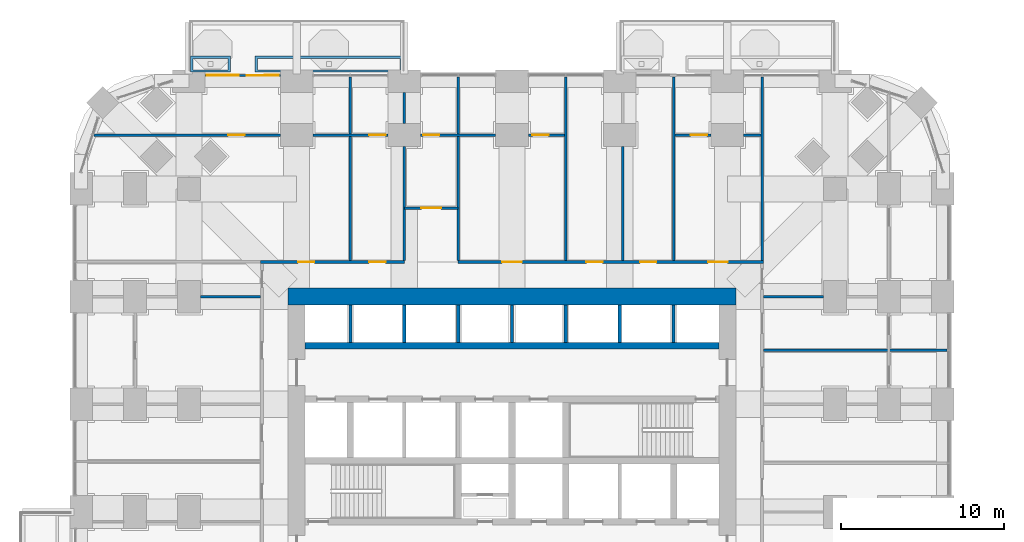
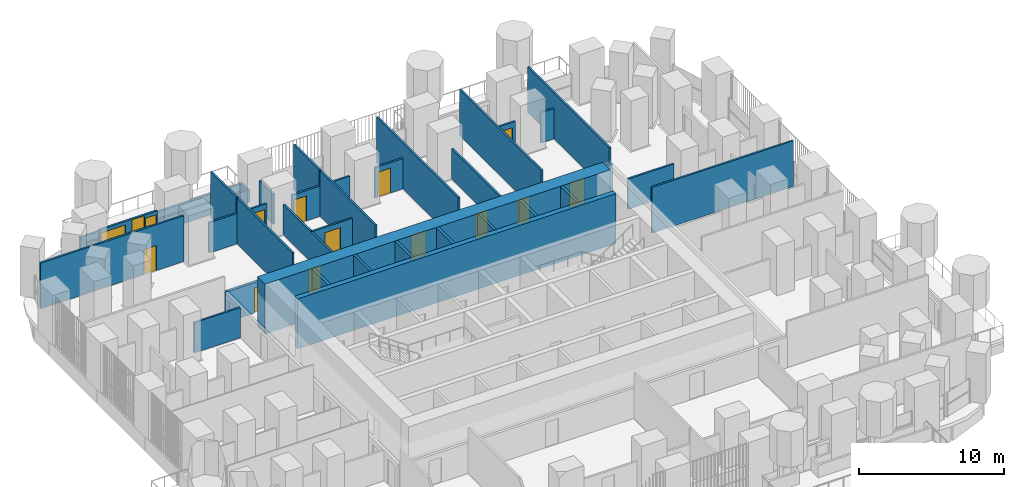
# One storey, part 20 of 27: 34 walls, 13 doors, 2 windows, 15 openings.
"""IFC4 building model written with IfcOpenShell, lengths in metres."""

from ifc_helpers import new_model, si_unit, direction, frame, frame_2d, origin, place, context, subcontext, project, spatial, polyline, rectangle, outline, extrude, material, layer, layer_set, type_object, element, fill, save


model = new_model("IFC4")

# Units and contexts
model_context = context("Model", 3, precision=1e-05, world=origin(), true_north=direction((0.0, 1.0)))
body_context = subcontext(model_context, "Body", "Model", "MODEL_VIEW")
ifc_project = project(units=[si_unit("LENGTHUNIT", "METRE"), si_unit("AREAUNIT", "SQUARE_METRE"), si_unit("VOLUMEUNIT", "CUBIC_METRE"), si_unit("PLANEANGLEUNIT", "RADIAN"), si_unit("MASSUNIT", "GRAM", prefix="KILO")], contexts=[model_context])

# Site, building, storey
site_placement = place(None, origin())
site = spatial("IfcSite", under=ifc_project, at=site_placement, CompositionType="ELEMENT")
building_placement = place(site_placement, origin())
building = spatial("IfcBuilding", under=site, at=building_placement, Name="Cobogo Forest Laboratory Tower", CompositionType="ELEMENT")
storey_placement = place(building_placement, frame((0.0, 0.0, 71.699951171875)))
storey = spatial("IfcBuildingStorey", under=building, at=storey_placement, Name="L16", CompositionType="ELEMENT", Elevation=71.699951171875)

# Walls
ifc_material_1 = material(Name="Concrete HA-50 (C50/60)", Category="concrete")
ifc_layer_1 = layer(ifc_material_1, 0.39990234375)
ifc_layer_set_1 = layer_set([ifc_layer_1], Name="CI400 core inner wall 400")
wall_type_1 = type_object("IfcWallType", Name="CI400 core inner wall 400", PredefinedType="SHEAR", material=ifc_layer_set_1)
wall_1_placement = place(storey_placement, frame((13.72509765625, 30.0, 0.0), z_axis=(0.0, 0.0, 1.0), x_axis=(1.0, 0.0, 0.0)))
element("IfcWall", 1, at=wall_1_placement, inside=storey, type_object=wall_type_1, Name="Core wall CI-30.0 L16", PredefinedType="SHEAR", context=body_context, shape_type="SweptSolid", body=[
    extrude(rectangle(XDim=25.349853515625, YDim=0.39990234375, at=frame_2d((12.6748046875, 0.0))), origin(), (0.0, 0.0, 1.0), 4.199951171875),
])
ifc_layer_2 = layer(ifc_material_1, 1.050048828125)
ifc_layer_set_2 = layer_set([ifc_layer_2], Name="CW1050 core outer wall 1050")
wall_type_2 = type_object("IfcWallType", Name="CW1050 core outer wall 1050", PredefinedType="SHEAR", material=ifc_layer_set_2)
wall_2_placement = place(storey_placement, frame((40.125, 33.0, 0.0), z_axis=(0.0, 0.0, 1.0), x_axis=(-1.0, 0.0, 0.0)))
element("IfcWall", 2, at=wall_2_placement, inside=storey, type_object=wall_type_2, Name="Core wall CO-N L16", PredefinedType="SHEAR", context=body_context, shape_type="SweptSolid", body=[
    extrude(rectangle(XDim=27.449951171875, YDim=1.050048828125, at=frame_2d((13.72509765625, 0.0))), origin(), (0.0, 0.0, 1.0), 4.199951171875),
])

# Wall, openings, door, windows
ifc_material_2 = material(Name="Aluminium framed glazed screen", Category="aluminium")
ifc_layer_3 = layer(ifc_material_2, 0.14990234375)
ifc_layer_set_3 = layer_set([ifc_layer_3], Name="GS1 glazed door screen 150")
wall_type_3 = type_object("IfcWallType", Name="GS1 glazed door screen 150", PredefinedType="SOLIDWALL", material=ifc_layer_set_3)
wall_3_placement = place(storey_placement, frame((12.199951171875, 46.550048828125, 0.0), z_axis=(0.0, 0.0, 1.0), x_axis=(-1.0, 0.0, 0.0)))
wall_3 = element("IfcWall", 3, at=wall_3_placement, inside=storey, type_object=wall_type_3, Name="Door screen BAL-N1 L16", PredefinedType="SOLIDWALL", context=body_context, shape_type="SweptSolid", body=[
    extrude(rectangle(XDim=4.599853515625, YDim=0.14990234375, at=frame_2d((2.2998046875, 0.0))), origin(), (0.0, 0.0, 1.0), 2.050048828125),
])
opening_1_placement = place(wall_3_placement, frame((1.050048828125, 0.0, 0.0)))
opening_1 = element("IfcOpeningElement", 4, at=opening_1_placement, cuts=wall_3, Name="Opening L16-D53", PredefinedType="OPENING", context=body_context, shape_type="SweptSolid", body=[
    extrude(rectangle(XDim=1.0, YDim=2.0, at=frame_2d((0.5, 1.0))), frame((0.0, 0.0849609375, 0.0), z_axis=(0.0, -1.0, 0.0), x_axis=(1.0, 0.0, 0.0)), (0.0, 0.0, 1.0), 0.169921875),
])
opening_2_placement = place(wall_3_placement, frame((0.10009765625, 0.0, 0.10009765625)))
opening_2 = element("IfcOpeningElement", 5, at=opening_2_placement, cuts=wall_3, Name="Opening L16-W10", PredefinedType="OPENING", context=body_context, shape_type="SweptSolid", body=[
    extrude(rectangle(XDim=0.85009765625, YDim=1.64990234375, at=frame_2d((0.425048828125, 0.824951171875))), frame((0.0, 0.0849609375, 0.0), z_axis=(0.0, -1.0, 0.0), x_axis=(1.0, 0.0, 0.0)), (0.0, 0.0, 1.0), 0.169921875),
])
opening_3_placement = place(wall_3_placement, frame((2.550048828125, 0.0, 0.10009765625)))
opening_3 = element("IfcOpeningElement", 6, at=opening_3_placement, cuts=wall_3, Name="Opening L16-W09", PredefinedType="OPENING", context=body_context, shape_type="SweptSolid", body=[
    extrude(rectangle(XDim=1.949951171875, YDim=1.64990234375, at=frame_2d((0.97509765625, 0.824951171875))), frame((0.0, 0.0849609375, 0.0), z_axis=(0.0, -1.0, 0.0), x_axis=(1.0, 0.0, 0.0)), (0.0, 0.0, 1.0), 0.169921875),
])
ifc_material_3 = material(Name="Aluminium glazed door", Category="aluminium")
door_type_1 = type_object("IfcDoorType", Name="DB2 balcony door 1000 glazed 2000 high", OperationType="SINGLE_SWING_LEFT", PredefinedType="DOOR", material=ifc_material_3)
door_1_placement = place(opening_1_placement, origin())
door_1 = element("IfcDoor", 7, at=door_1_placement, inside=storey, type_object=door_type_1, Name="Door L16-BAL-N1", OperationType="SINGLE_SWING_LEFT", OverallHeight=2.0, OverallWidth=1.0, PredefinedType="DOOR", context=body_context, shape_type="SweptSolid", body=[
    extrude(rectangle(XDim=1.0, YDim=2.0, at=frame_2d((0.5, 1.0))), frame((0.0, 0.02490234375, 0.0), z_axis=(0.0, -1.0, 0.0), x_axis=(1.0, 0.0, 0.0)), (0.0, 0.0, 1.0), 0.050048828125),
])
fill(opening_1, door_1)
ifc_material_4 = material(Name="Aluminium framed glazing", Category="aluminium")
window_type_1 = type_object("IfcWindowType", Name="WG10 fixed glazed light 850x1650", PartitioningType="SINGLE_PANEL", PredefinedType="WINDOW", material=ifc_material_4)
window_1_placement = place(opening_2_placement, origin())
window_1 = element("IfcWindow", 8, at=window_1_placement, inside=storey, type_object=window_type_1, Name="Window L16-BAL-N1-1", OverallHeight=1.64990234375, OverallWidth=0.85009765625, PartitioningType="SINGLE_PANEL", PredefinedType="WINDOW", context=body_context, shape_type="SweptSolid", body=[
    extrude(rectangle(XDim=0.85009765625, YDim=1.64990234375, at=frame_2d((0.425048828125, 0.824951171875))), frame((0.0, 0.030029296875, 0.0), z_axis=(0.0, -1.0, 0.0), x_axis=(1.0, 0.0, 0.0)), (0.0, 0.0, 1.0), 0.06005859375),
])
fill(opening_2, window_1)
window_type_2 = type_object("IfcWindowType", Name="WG9 fixed glazed light 1950x1650", PartitioningType="SINGLE_PANEL", PredefinedType="WINDOW", material=ifc_material_4)
window_2_placement = place(opening_3_placement, origin())
window_2 = element("IfcWindow", 9, at=window_2_placement, inside=storey, type_object=window_type_2, Name="Window L16-BAL-N1-2", OverallHeight=1.64990234375, OverallWidth=1.949951171875, PartitioningType="SINGLE_PANEL", PredefinedType="WINDOW", context=body_context, shape_type="SweptSolid", body=[
    extrude(rectangle(XDim=1.949951171875, YDim=1.64990234375, at=frame_2d((0.97509765625, 0.824951171875))), frame((0.0, 0.030029296875, 0.0), z_axis=(0.0, -1.0, 0.0), x_axis=(1.0, 0.0, 0.0)), (0.0, 0.0, 1.0), 0.06005859375),
])
fill(opening_3, window_2)

# Walls
ifc_material_5 = material(Name="Gypsum board on steel studs", Category="steel")
ifc_layer_4 = layer(ifc_material_5, 0.14990234375)
ifc_layer_set_4 = layer_set([ifc_layer_4], Name="PT1 laboratory partition 150")
wall_type_4 = type_object("IfcWallType", Name="PT1 laboratory partition 150", PredefinedType="PARTITIONING", material=ifc_layer_set_4)
wall_4_placement = place(storey_placement, frame((41.72509765625, 46.469970703125, 0.0), z_axis=(0.0, 0.0, 1.0), x_axis=(0.0, -1.0, 0.0)))
element("IfcWall", 10, at=wall_4_placement, inside=storey, type_object=wall_type_4, Name="Partition PW-NE L16", PredefinedType="PARTITIONING", context=body_context, shape_type="SweptSolid", body=[
    extrude(rectangle(XDim=11.244873046875, YDim=0.14990234375, at=frame_2d((5.62255859375, 0.0))), origin(), (0.0, 0.0, 1.0), 3.85009765625),
])
wall_5_placement = place(storey_placement, frame((53.070068359375, 29.699951171875, 0.0), z_axis=(0.0, 0.0, 1.0), x_axis=(-1.0, 0.0, 0.0)))
element("IfcWall", 11, at=wall_5_placement, inside=storey, type_object=wall_type_4, Name="Partition CUT-E29.7-1 L16", PredefinedType="PARTITIONING", context=body_context, shape_type="SweptSolid", body=[
    extrude(rectangle(XDim=11.2451171875, YDim=0.14990234375, at=frame_2d((5.62255859375, 0.0))), origin(), (0.0, 0.0, 1.0), 3.85009765625),
])
wall_6_placement = place(storey_placement, frame((45.5, 33.0, 0.0), z_axis=(0.0, 0.0, 1.0), x_axis=(-1.0, 0.0, 0.0)))
element("IfcWall", 12, at=wall_6_placement, inside=storey, type_object=wall_type_4, Name="Partition CUT-E33b-2 L16", PredefinedType="PARTITIONING", context=body_context, shape_type="SweptSolid", body=[
    extrude(rectangle(XDim=3.675048828125, YDim=0.14990234375, at=frame_2d((1.83740234375, 0.0))), origin(), (0.0, 0.0, 1.0), 2.550048828125),
])
wall_7_placement = place(storey_placement, frame((41.64990234375, 42.89990234375, 0.0), z_axis=(0.0, 0.0, 1.0), x_axis=(-1.0, 0.0, 0.0)))
element("IfcWall", 13, at=wall_7_placement, inside=storey, type_object=wall_type_4, Name="Partition STRIP-N-1 L16", PredefinedType="PARTITIONING", context=body_context, shape_type="SweptSolid", body=[
    extrude(rectangle(XDim=1.0498046875, YDim=0.14990234375, at=frame_2d((0.52490234375, 0.0))), origin(), (0.0, 0.0, 1.0), 2.550048828125),
])

# Wall, opening, door
wall_8_placement = place(storey_placement, frame((38.60009765625, 42.89990234375, 0.0), z_axis=(0.0, 0.0, 1.0), x_axis=(-1.0, 0.0, 0.0)))
wall_8 = element("IfcWall", 14, at=wall_8_placement, inside=storey, type_object=wall_type_4, Name="Partition STRIP-N-2 L16", PredefinedType="PARTITIONING", context=body_context, shape_type="SweptSolid", body=[
    extrude(rectangle(XDim=2.22509765625, YDim=0.14990234375, at=frame_2d((1.112548828125, 0.0))), origin(), (0.0, 0.0, 1.0), 2.550048828125),
])
opening_4_placement = place(wall_8_placement, frame((0.25, 0.0, 0.0)))
opening_4 = element("IfcOpeningElement", 15, at=opening_4_placement, cuts=wall_8, Name="Opening L16-D52", PredefinedType="OPENING", context=body_context, shape_type="SweptSolid", body=[
    extrude(rectangle(XDim=1.0, YDim=2.10009765625, at=frame_2d((0.5, 1.050048828125))), frame((0.0, 0.0849609375, 0.0), z_axis=(0.0, -1.0, 0.0), x_axis=(1.0, 0.0, 0.0)), (0.0, 0.0, 1.0), 0.169921875),
])
ifc_material_6 = material(Name="Timber fire door", Category="wood")
door_type_2 = type_object("IfcDoorType", Name="FD2 fire door 1000 EI2 30", OperationType="SINGLE_SWING_LEFT", PredefinedType="DOOR", material=ifc_material_6)
door_2_placement = place(opening_4_placement, origin())
door_2 = element("IfcDoor", 16, at=door_2_placement, inside=storey, type_object=door_type_2, Name="Door L16-N5W", OperationType="SINGLE_SWING_LEFT", OverallHeight=2.10009765625, OverallWidth=1.0, PredefinedType="DOOR", context=body_context, shape_type="SweptSolid", body=[
    extrude(rectangle(XDim=1.0, YDim=2.10009765625, at=frame_2d((0.5, 1.050048828125))), frame((0.0, 0.02490234375, 0.0), z_axis=(0.0, -1.0, 0.0), x_axis=(1.0, 0.0, 0.0)), (0.0, 0.0, 1.0), 0.050048828125),
])
fill(opening_4, door_2)

wall_9_placement = place(storey_placement, frame((29.625, 42.89990234375, 0.0), z_axis=(0.0, 0.0, 1.0), x_axis=(-1.0, 0.0, 0.0)))
wall_9 = element("IfcWall", 17, at=wall_9_placement, inside=storey, type_object=wall_type_4, Name="Partition STRIP-N-3 L16", PredefinedType="PARTITIONING", context=body_context, shape_type="SweptSolid", body=[
    extrude(rectangle(XDim=2.22509765625, YDim=0.14990234375, at=frame_2d((1.112548828125, 0.0))), origin(), (0.0, 0.0, 1.0), 2.550048828125),
])
opening_5_placement = place(wall_9_placement, frame((0.97509765625, 0.0, 0.0)))
opening_5 = element("IfcOpeningElement", 18, at=opening_5_placement, cuts=wall_9, Name="Opening L16-D51", PredefinedType="OPENING", context=body_context, shape_type="SweptSolid", body=[
    extrude(rectangle(XDim=1.0, YDim=2.10009765625, at=frame_2d((0.5, 1.050048828125))), frame((0.0, 0.0849609375, 0.0), z_axis=(0.0, -1.0, 0.0), x_axis=(1.0, 0.0, 0.0)), (0.0, 0.0, 1.0), 0.169921875),
])
door_3_placement = place(opening_5_placement, origin())
door_3 = element("IfcDoor", 19, at=door_3_placement, inside=storey, type_object=door_type_2, Name="Door L16-N4W", OperationType="SINGLE_SWING_RIGHT", OverallHeight=2.10009765625, OverallWidth=1.0, PredefinedType="DOOR", context=body_context, shape_type="SweptSolid", body=[
    extrude(rectangle(XDim=1.0, YDim=2.10009765625, at=frame_2d((0.5, 1.050048828125))), frame((0.0, 0.02490234375, 0.0), z_axis=(0.0, -1.0, 0.0), x_axis=(1.0, 0.0, 0.0)), (0.0, 0.0, 1.0), 0.050048828125),
])
fill(opening_5, door_3)

wall_10_placement = place(storey_placement, frame((25.39990234375, 42.89990234375, 0.0), z_axis=(0.0, 0.0, 1.0), x_axis=(-1.0, 0.0, 0.0)))
wall_10 = element("IfcWall", 20, at=wall_10_placement, inside=storey, type_object=wall_type_4, Name="Partition STRIP-N-4 L16", PredefinedType="PARTITIONING", context=body_context, shape_type="SweptSolid", body=[
    extrude(rectangle(XDim=4.599853515625, YDim=0.14990234375, at=frame_2d((2.2998046875, 0.0))), origin(), (0.0, 0.0, 1.0), 2.550048828125),
])
opening_6_placement = place(wall_10_placement, frame((3.449951171875, 0.0, 0.0)))
opening_6 = element("IfcOpeningElement", 21, at=opening_6_placement, cuts=wall_10, Name="Opening L16-D50", PredefinedType="OPENING", context=body_context, shape_type="SweptSolid", body=[
    extrude(rectangle(XDim=1.0, YDim=2.10009765625, at=frame_2d((0.5, 1.050048828125))), frame((0.0, 0.0849609375, 0.0), z_axis=(0.0, -1.0, 0.0), x_axis=(1.0, 0.0, 0.0)), (0.0, 0.0, 1.0), 0.169921875),
])
door_4_placement = place(opening_6_placement, origin())
door_4 = element("IfcDoor", 22, at=door_4_placement, inside=storey, type_object=door_type_2, Name="Door L16-N3W", OperationType="SINGLE_SWING_RIGHT", OverallHeight=2.10009765625, OverallWidth=1.0, PredefinedType="DOOR", context=body_context, shape_type="SweptSolid", body=[
    extrude(rectangle(XDim=1.0, YDim=2.10009765625, at=frame_2d((0.5, 1.050048828125))), frame((0.0, 0.02490234375, 0.0), z_axis=(0.0, -1.0, 0.0), x_axis=(1.0, 0.0, 0.0)), (0.0, 0.0, 1.0), 0.050048828125),
])
fill(opening_6, door_4)

wall_11_placement = place(storey_placement, frame((18.800048828125, 42.89990234375, 0.0), z_axis=(0.0, 0.0, 1.0), x_axis=(-1.0, 0.0, 0.0)))
wall_11 = element("IfcWall", 23, at=wall_11_placement, inside=storey, type_object=wall_type_4, Name="Partition STRIP-N-5 L16", PredefinedType="PARTITIONING", context=body_context, shape_type="SweptSolid", body=[
    extrude(rectangle(XDim=4.60009765625, YDim=0.14990234375, at=frame_2d((2.300048828125, 0.0))), origin(), (0.0, 0.0, 1.0), 2.550048828125),
])
opening_7_placement = place(wall_11_placement, frame((0.14990234375, 0.0, 0.0)))
opening_7 = element("IfcOpeningElement", 24, at=opening_7_placement, cuts=wall_11, Name="Opening L16-D49", PredefinedType="OPENING", context=body_context, shape_type="SweptSolid", body=[
    extrude(rectangle(XDim=1.0, YDim=2.10009765625, at=frame_2d((0.5, 1.050048828125))), frame((0.0, 0.0849609375, 0.0), z_axis=(0.0, -1.0, 0.0), x_axis=(1.0, 0.0, 0.0)), (0.0, 0.0, 1.0), 0.169921875),
])
door_5_placement = place(opening_7_placement, origin())
door_5 = element("IfcDoor", 25, at=door_5_placement, inside=storey, type_object=door_type_2, Name="Door L16-N2W", OperationType="SINGLE_SWING_LEFT", OverallHeight=2.10009765625, OverallWidth=1.0, PredefinedType="DOOR", context=body_context, shape_type="SweptSolid", body=[
    extrude(rectangle(XDim=1.0, YDim=2.10009765625, at=frame_2d((0.5, 1.050048828125))), frame((0.0, 0.02490234375, 0.0), z_axis=(0.0, -1.0, 0.0), x_axis=(1.0, 0.0, 0.0)), (0.0, 0.0, 1.0), 0.050048828125),
])
fill(opening_7, door_5)

wall_12_placement = place(storey_placement, frame((12.199951171875, 42.89990234375, 0.0), z_axis=(0.0, 0.0, 1.0), x_axis=(-1.0, 0.0, 0.0)))
wall_12 = element("IfcWall", 26, at=wall_12_placement, inside=storey, type_object=wall_type_4, Name="Partition STRIP-N-6 L16", PredefinedType="PARTITIONING", context=body_context, shape_type="SweptSolid", body=[
    extrude(rectangle(XDim=11.423828125, YDim=0.14990234375, at=frame_2d((5.7119140625, 0.0))), origin(), (0.0, 0.0, 1.0), 3.85009765625),
])
opening_8_placement = place(wall_12_placement, frame((2.192138671875, 0.0, 0.0)))
opening_8 = element("IfcOpeningElement", 27, at=opening_8_placement, cuts=wall_12, Name="Opening L16-D48", PredefinedType="OPENING", context=body_context, shape_type="SweptSolid", body=[
    extrude(rectangle(XDim=1.0, YDim=2.10009765625, at=frame_2d((0.5, 1.050048828125))), frame((0.0, 0.0849609375, 0.0), z_axis=(0.0, -1.0, 0.0), x_axis=(1.0, 0.0, 0.0)), (0.0, 0.0, 1.0), 0.169921875),
])
door_6_placement = place(opening_8_placement, origin())
door_6 = element("IfcDoor", 28, at=door_6_placement, inside=storey, type_object=door_type_2, Name="Door L16-N1W", OperationType="SINGLE_SWING_LEFT", OverallHeight=2.10009765625, OverallWidth=1.0, PredefinedType="DOOR", context=body_context, shape_type="SweptSolid", body=[
    extrude(rectangle(XDim=1.0, YDim=2.10009765625, at=frame_2d((0.5, 1.050048828125))), frame((0.0, 0.02490234375, 0.0), z_axis=(0.0, -1.0, 0.0), x_axis=(1.0, 0.0, 0.0)), (0.0, 0.0, 1.0), 0.050048828125),
])
fill(opening_8, door_6)

wall_13_placement = place(storey_placement, frame((19.800048828125, 38.425048828125, 0.0), z_axis=(0.0, 0.0, 1.0), x_axis=(1.0, 0.0, 0.0)))
wall_13 = element("IfcWall", 29, at=wall_13_placement, inside=storey, type_object=wall_type_4, Name="Partition NODE-N-1 L16", PredefinedType="PARTITIONING", context=body_context, shape_type="SweptSolid", body=[
    extrude(rectangle(XDim=3.300048828125, YDim=0.14990234375, at=frame_2d((1.64990234375, 0.0))), origin(), (0.0, 0.0, 1.0), 2.550048828125),
])
opening_9_placement = place(wall_13_placement, frame((1.050048828125, 0.0, 0.0)))
opening_9 = element("IfcOpeningElement", 30, at=opening_9_placement, cuts=wall_13, Name="Opening L16-D47", PredefinedType="OPENING", context=body_context, shape_type="SweptSolid", body=[
    extrude(rectangle(XDim=1.199951171875, YDim=2.10009765625, at=frame_2d((0.60009765625, 1.050048828125))), frame((0.0, 0.0849609375, 0.0), z_axis=(0.0, -1.0, 0.0), x_axis=(1.0, 0.0, 0.0)), (0.0, 0.0, 1.0), 0.169921875),
])
ifc_material_7 = material(Name="Timber door", Category="wood")
door_type_3 = type_object("IfcDoorType", Name="D2 laboratory door 1200 unequal pair", OperationType="DOUBLE_DOOR_SINGLE_SWING", PredefinedType="DOOR", material=ifc_material_7)
door_7_placement = place(opening_9_placement, origin())
door_7 = element("IfcDoor", 31, at=door_7_placement, inside=storey, type_object=door_type_3, Name="Door L16-N3", OperationType="DOUBLE_DOOR_SINGLE_SWING", OverallHeight=2.10009765625, OverallWidth=1.199951171875, PredefinedType="DOOR", context=body_context, shape_type="SweptSolid", body=[
    extrude(rectangle(XDim=1.199951171875, YDim=2.10009765625, at=frame_2d((0.60009765625, 1.050048828125))), frame((0.0, 0.02490234375, 0.0), z_axis=(0.0, -1.0, 0.0), x_axis=(1.0, 0.0, 0.0)), (0.0, 0.0, 1.0), 0.050048828125),
])
fill(opening_9, door_7)

# Walls
wall_14_placement = place(storey_placement, frame((33.199951171875, 42.199951171875, 0.0), z_axis=(0.0, 0.0, 1.0), x_axis=(0.0, -1.0, 0.0)))
element("IfcWall", 32, at=wall_14_placement, inside=storey, type_object=wall_type_4, Name="Partition SVC-N1-2 L16", PredefinedType="PARTITIONING", context=body_context, shape_type="SweptSolid", body=[
    extrude(rectangle(XDim=6.974853515625, YDim=0.14990234375, at=frame_2d((3.4873046875, 0.0))), origin(), (0.0, 0.0, 1.0), 2.550048828125),
])
wall_15_placement = place(storey_placement, frame((36.300048828125, 46.469970703125, 0.0), z_axis=(0.0, 0.0, 1.0), x_axis=(0.0, -1.0, 0.0)))
element("IfcWall", 33, at=wall_15_placement, inside=storey, type_object=wall_type_4, Name="Partition SVC-N2-1 L16", PredefinedType="PARTITIONING", context=body_context, shape_type="SweptSolid", body=[
    extrude(rectangle(XDim=11.244873046875, YDim=0.14990234375, at=frame_2d((5.62255859375, 0.0))), origin(), (0.0, 0.0, 1.0), 3.85009765625),
])
wall_16_placement = place(storey_placement, frame((16.5, 46.469970703125, 0.0), z_axis=(0.0, 0.0, 1.0), x_axis=(0.0, -1.0, 0.0)))
element("IfcWall", 34, at=wall_16_placement, inside=storey, type_object=wall_type_4, Name="Partition CUT-N16.5a-1 L16", PredefinedType="PARTITIONING", context=body_context, shape_type="SweptSolid", body=[
    extrude(rectangle(XDim=3.494873046875, YDim=0.14990234375, at=frame_2d((1.74755859375, 0.0))), origin(), (0.0, 0.0, 1.0), 3.85009765625),
])
wall_17_placement = place(storey_placement, frame((16.5, 42.824951171875, 0.0), z_axis=(0.0, 0.0, 1.0), x_axis=(0.0, -1.0, 0.0)))
element("IfcWall", 35, at=wall_17_placement, inside=storey, type_object=wall_type_4, Name="Partition CUT-N16.5b-1 L16", PredefinedType="PARTITIONING", context=body_context, shape_type="SweptSolid", body=[
    extrude(rectangle(XDim=7.599853515625, YDim=0.14990234375, at=frame_2d((3.7998046875, 0.0))), origin(), (0.0, 0.0, 1.0), 3.85009765625),
])
wall_18_placement = place(storey_placement, frame((19.800048828125, 45.5, 0.0), z_axis=(0.0, 0.0, 1.0), x_axis=(0.0, -1.0, 0.0)))
element("IfcWall", 36, at=wall_18_placement, inside=storey, type_object=wall_type_4, Name="Partition CUT-N19.8a-1 L16", PredefinedType="PARTITIONING", context=body_context, shape_type="SweptSolid", body=[
    extrude(rectangle(XDim=1.89990234375, YDim=0.14990234375, at=frame_2d((0.949951171875, 0.0))), origin(), (0.0, 0.0, 1.0), 2.550048828125),
])
wall_19_placement = place(storey_placement, frame((19.800048828125, 42.199951171875, 0.0), z_axis=(0.0, 0.0, 1.0), x_axis=(0.0, -1.0, 0.0)))
element("IfcWall", 37, at=wall_19_placement, inside=storey, type_object=wall_type_4, Name="Partition CUT-N19.8b-1 L16", PredefinedType="PARTITIONING", context=body_context, shape_type="SweptSolid", body=[
    extrude(rectangle(XDim=6.974853515625, YDim=0.14990234375, at=frame_2d((3.4873046875, 0.0))), origin(), (0.0, 0.0, 1.0), 2.550048828125),
])
wall_20_placement = place(storey_placement, frame((23.10009765625, 46.469970703125, 0.0), z_axis=(0.0, 0.0, 1.0), x_axis=(0.0, -1.0, 0.0)))
element("IfcWall", 38, at=wall_20_placement, inside=storey, type_object=wall_type_4, Name="Partition CUT-N23.1a-1 L16", PredefinedType="PARTITIONING", context=body_context, shape_type="SweptSolid", body=[
    extrude(rectangle(XDim=3.494873046875, YDim=0.14990234375, at=frame_2d((1.74755859375, 0.0))), origin(), (0.0, 0.0, 1.0), 3.85009765625),
])
wall_21_placement = place(storey_placement, frame((23.10009765625, 42.824951171875, 0.0), z_axis=(0.0, 0.0, 1.0), x_axis=(0.0, -1.0, 0.0)))
element("IfcWall", 39, at=wall_21_placement, inside=storey, type_object=wall_type_4, Name="Partition CUT-N23.1b-1 L16", PredefinedType="PARTITIONING", context=body_context, shape_type="SweptSolid", body=[
    extrude(rectangle(XDim=7.599853515625, YDim=0.14990234375, at=frame_2d((3.7998046875, 0.0))), origin(), (0.0, 0.0, 1.0), 3.85009765625),
])
wall_22_placement = place(storey_placement, frame((29.699951171875, 46.469970703125, 0.0), z_axis=(0.0, 0.0, 1.0), x_axis=(0.0, -1.0, 0.0)))
element("IfcWall", 40, at=wall_22_placement, inside=storey, type_object=wall_type_4, Name="Partition CUT-N29.7-1 L16", PredefinedType="PARTITIONING", context=body_context, shape_type="SweptSolid", body=[
    extrude(rectangle(XDim=11.244873046875, YDim=0.14990234375, at=frame_2d((5.62255859375, 0.0))), origin(), (0.0, 0.0, 1.0), 3.85009765625),
])
wall_23_placement = place(storey_placement, frame((7.300048828125, 33.0, 0.0), z_axis=(0.0, 0.0, 1.0), x_axis=(1.0, 0.0, 0.0)))
element("IfcWall", 41, at=wall_23_placement, inside=storey, type_object=wall_type_4, Name="Partition CUT-W33-3 L16", PredefinedType="PARTITIONING", context=body_context, shape_type="SweptSolid", body=[
    extrude(rectangle(XDim=3.675048828125, YDim=0.14990234375, at=frame_2d((1.83740234375, 0.0))), origin(), (0.0, 0.0, 1.0), 2.550048828125),
])

# Wall, openings, doors
ifc_layer_5 = layer(ifc_material_5, 0.199951171875)
ifc_layer_set_5 = layer_set([ifc_layer_5], Name="PT2 fire-rated corridor partition 200")
wall_type_5 = type_object("IfcWallType", Name="PT2 fire-rated corridor partition 200", PredefinedType="PARTITIONING", material=ifc_layer_set_5)
wall_24_placement = place(storey_placement, frame((10.97509765625, 35.125, 0.0), z_axis=(0.0, 0.0, 1.0), x_axis=(1.0, 0.0, 0.0)))
wall_24 = element("IfcWall", 42, at=wall_24_placement, inside=storey, type_object=wall_type_5, Name="Partition CORR-N-1 L16", PredefinedType="PARTITIONING", context=body_context, shape_type="SweptSolid", body=[
    extrude(rectangle(XDim=8.824951171875, YDim=0.199951171875, at=frame_2d((4.41259765625, 0.0))), origin(), (0.0, 0.0, 1.0), 2.550048828125),
])
opening_10_placement = place(wall_24_placement, frame((2.3125, 0.0, 0.0)))
opening_10 = element("IfcOpeningElement", 43, at=opening_10_placement, cuts=wall_24, Name="Opening L16-D40", PredefinedType="OPENING", context=body_context, shape_type="SweptSolid", body=[
    extrude(rectangle(XDim=1.0, YDim=2.10009765625, at=frame_2d((0.5, 1.050048828125))), frame((0.0, 0.10986328125, 0.0), z_axis=(0.0, -1.0, 0.0), x_axis=(1.0, 0.0, 0.0)), (0.0, 0.0, 1.0), 0.219970703125),
])
opening_11_placement = place(wall_24_placement, frame((6.675048828125, 0.0, 0.0)))
opening_11 = element("IfcOpeningElement", 44, at=opening_11_placement, cuts=wall_24, Name="Opening L16-D41", PredefinedType="OPENING", context=body_context, shape_type="SweptSolid", body=[
    extrude(rectangle(XDim=1.0, YDim=2.10009765625, at=frame_2d((0.5, 1.050048828125))), frame((0.0, 0.10986328125, 0.0), z_axis=(0.0, -1.0, 0.0), x_axis=(1.0, 0.0, 0.0)), (0.0, 0.0, 1.0), 0.219970703125),
])
door_8_placement = place(opening_10_placement, origin())
door_8 = element("IfcDoor", 45, at=door_8_placement, inside=storey, type_object=door_type_2, Name="Door L16-N1", OperationType="SINGLE_SWING_LEFT", OverallHeight=2.10009765625, OverallWidth=1.0, PredefinedType="DOOR", context=body_context, shape_type="SweptSolid", body=[
    extrude(rectangle(XDim=1.0, YDim=2.10009765625, at=frame_2d((0.5, 1.050048828125))), frame((0.0, 0.02490234375, 0.0), z_axis=(0.0, -1.0, 0.0), x_axis=(1.0, 0.0, 0.0)), (0.0, 0.0, 1.0), 0.050048828125),
])
fill(opening_10, door_8)
door_9_placement = place(opening_11_placement, origin())
door_9 = element("IfcDoor", 46, at=door_9_placement, inside=storey, type_object=door_type_2, Name="Door L16-N2", OperationType="SINGLE_SWING_RIGHT", OverallHeight=2.10009765625, OverallWidth=1.0, PredefinedType="DOOR", context=body_context, shape_type="SweptSolid", body=[
    extrude(rectangle(XDim=1.0, YDim=2.10009765625, at=frame_2d((0.5, 1.050048828125))), frame((0.0, 0.02490234375, 0.0), z_axis=(0.0, -1.0, 0.0), x_axis=(1.0, 0.0, 0.0)), (0.0, 0.0, 1.0), 0.050048828125),
])
fill(opening_11, door_9)

wall_25_placement = place(storey_placement, frame((23.10009765625, 35.125, 0.0), z_axis=(0.0, 0.0, 1.0), x_axis=(1.0, 0.0, 0.0)))
wall_25 = element("IfcWall", 47, at=wall_25_placement, inside=storey, type_object=wall_type_5, Name="Partition CORR-N-2 L16", PredefinedType="PARTITIONING", context=body_context, shape_type="SweptSolid", body=[
    extrude(rectangle(XDim=18.724853515625, YDim=0.199951171875, at=frame_2d((9.3623046875, 0.0))), origin(), (0.0, 0.0, 1.0), 2.550048828125),
])
opening_12_placement = place(wall_25_placement, frame((2.699951171875, 0.0, 0.0)))
opening_12 = element("IfcOpeningElement", 48, at=opening_12_placement, cuts=wall_25, Name="Opening L16-D42", PredefinedType="OPENING", context=body_context, shape_type="SweptSolid", body=[
    extrude(rectangle(XDim=1.199951171875, YDim=2.10009765625, at=frame_2d((0.60009765625, 1.050048828125))), frame((0.0, 0.10986328125, 0.0), z_axis=(0.0, -1.0, 0.0), x_axis=(1.0, 0.0, 0.0)), (0.0, 0.0, 1.0), 0.219970703125),
])
opening_13_placement = place(wall_25_placement, frame((7.85009765625, 0.0, 0.0)))
opening_13 = element("IfcOpeningElement", 49, at=opening_13_placement, cuts=wall_25, Name="Opening L16-D43", PredefinedType="OPENING", context=body_context, shape_type="SweptSolid", body=[
    extrude(rectangle(XDim=1.0, YDim=2.10009765625, at=frame_2d((0.5, 1.050048828125))), frame((0.0, 0.10986328125, 0.0), z_axis=(0.0, -1.0, 0.0), x_axis=(1.0, 0.0, 0.0)), (0.0, 0.0, 1.0), 0.219970703125),
])
opening_14_placement = place(wall_25_placement, frame((11.14990234375, 0.0, 0.0)))
opening_14 = element("IfcOpeningElement", 50, at=opening_14_placement, cuts=wall_25, Name="Opening L16-D44", PredefinedType="OPENING", context=body_context, shape_type="SweptSolid", body=[
    extrude(rectangle(XDim=1.0, YDim=2.10009765625, at=frame_2d((0.5, 1.050048828125))), frame((0.0, 0.10986328125, 0.0), z_axis=(0.0, -1.0, 0.0), x_axis=(1.0, 0.0, 0.0)), (0.0, 0.0, 1.0), 0.219970703125),
])
opening_15_placement = place(wall_25_placement, frame((15.3125, 0.0, 0.0)))
opening_15 = element("IfcOpeningElement", 51, at=opening_15_placement, cuts=wall_25, Name="Opening L16-D45", PredefinedType="OPENING", context=body_context, shape_type="SweptSolid", body=[
    extrude(rectangle(XDim=1.199951171875, YDim=2.10009765625, at=frame_2d((0.60009765625, 1.050048828125))), frame((0.0, 0.10986328125, 0.0), z_axis=(0.0, -1.0, 0.0), x_axis=(1.0, 0.0, 0.0)), (0.0, 0.0, 1.0), 0.219970703125),
])
door_10_placement = place(opening_12_placement, origin())
door_10 = element("IfcDoor", 52, at=door_10_placement, inside=storey, type_object=door_type_3, Name="Door L16-N4", OperationType="DOUBLE_DOOR_SINGLE_SWING", OverallHeight=2.10009765625, OverallWidth=1.199951171875, PredefinedType="DOOR", context=body_context, shape_type="SweptSolid", body=[
    extrude(rectangle(XDim=1.199951171875, YDim=2.10009765625, at=frame_2d((0.60009765625, 1.050048828125))), frame((0.0, 0.02490234375, 0.0), z_axis=(0.0, -1.0, 0.0), x_axis=(1.0, 0.0, 0.0)), (0.0, 0.0, 1.0), 0.050048828125),
])
fill(opening_12, door_10)
door_11_placement = place(opening_15_placement, origin())
door_11 = element("IfcDoor", 53, at=door_11_placement, inside=storey, type_object=door_type_3, Name="Door L16-N5", OperationType="DOUBLE_DOOR_SINGLE_SWING", OverallHeight=2.10009765625, OverallWidth=1.199951171875, PredefinedType="DOOR", context=body_context, shape_type="SweptSolid", body=[
    extrude(rectangle(XDim=1.199951171875, YDim=2.10009765625, at=frame_2d((0.60009765625, 1.050048828125))), frame((0.0, 0.02490234375, 0.0), z_axis=(0.0, -1.0, 0.0), x_axis=(1.0, 0.0, 0.0)), (0.0, 0.0, 1.0), 0.050048828125),
])
fill(opening_15, door_11)
door_12_placement = place(opening_13_placement, origin())
door_12 = element("IfcDoor", 54, at=door_12_placement, inside=storey, type_object=door_type_2, Name="Door L16-MTG", OperationType="SINGLE_SWING_LEFT", OverallHeight=2.10009765625, OverallWidth=1.0, PredefinedType="DOOR", context=body_context, shape_type="SweptSolid", body=[
    extrude(rectangle(XDim=1.0, YDim=2.10009765625, at=frame_2d((0.5, 1.050048828125))), frame((0.0, 0.02490234375, 0.0), z_axis=(0.0, -1.0, 0.0), x_axis=(1.0, 0.0, 0.0)), (0.0, 0.0, 1.0), 0.050048828125),
])
fill(opening_13, door_12)
door_13_placement = place(opening_14_placement, origin())
door_13 = element("IfcDoor", 55, at=door_13_placement, inside=storey, type_object=door_type_2, Name="Door L16-PAN", OperationType="SINGLE_SWING_RIGHT", OverallHeight=2.10009765625, OverallWidth=1.0, PredefinedType="DOOR", context=body_context, shape_type="SweptSolid", body=[
    extrude(rectangle(XDim=1.0, YDim=2.10009765625, at=frame_2d((0.5, 1.050048828125))), frame((0.0, 0.02490234375, 0.0), z_axis=(0.0, -1.0, 0.0), x_axis=(1.0, 0.0, 0.0)), (0.0, 0.0, 1.0), 0.050048828125),
])
fill(opening_14, door_13)

# Walls
ifc_material_8 = material(Name="Concrete HA-40 (C40/50)", Category="concrete")
ifc_layer_6 = layer(ifc_material_8, 0.14990234375)
ifc_layer_set_6 = layer_set([ifc_layer_6], Name="Planter box 1000x1050")
wall_type_6 = type_object("IfcWallType", Name="Planter box 1000x1050", PredefinedType="USERDEFINED", material=ifc_layer_set_6)
wall_26_placement = place(storey_placement, origin())
element("IfcWall", 56, at=wall_26_placement, inside=storey, type_object=wall_type_6, Name="Planter BAL-N1-1 L16", ObjectType="PLANTER", PredefinedType="USERDEFINED", context=body_context, shape_type="SweptSolid", body=[
    extrude(outline(polyline([(6.699951171875, 46.75), (9.14990234375, 46.75), (9.14990234375, 47.75), (6.699951171875, 47.75), (6.699951171875, 46.75)]), holes=[polyline([(6.85009765625, 46.89990234375), (9.0, 46.89990234375), (9.0, 47.60009765625), (6.85009765625, 47.60009765625), (6.85009765625, 46.89990234375)])]), origin(), (0.0, 0.0, 1.0), 1.050048828125),
])
wall_27_placement = place(storey_placement, origin())
element("IfcWall", 57, at=wall_27_placement, inside=storey, type_object=wall_type_6, Name="Planter BAL-N1-2 L16", ObjectType="PLANTER", PredefinedType="USERDEFINED", context=body_context, shape_type="SweptSolid", body=[
    extrude(outline(polyline([(10.64990234375, 46.75), (19.699951171875, 46.75), (19.699951171875, 47.75), (10.64990234375, 47.75), (10.64990234375, 46.75)]), holes=[polyline([(10.800048828125, 46.89990234375), (19.550048828125, 46.89990234375), (19.550048828125, 47.60009765625), (10.800048828125, 47.60009765625), (10.800048828125, 46.89990234375)])]), origin(), (0.0, 0.0, 1.0), 1.050048828125),
])
ifc_material_9 = material(Name="Concrete block", Category="concrete")
ifc_layer_7 = layer(ifc_material_9, 0.199951171875)
ifc_layer_set_7 = layer_set([ifc_layer_7], Name="SW200 lift shaft separator 200")
wall_type_7 = type_object("IfcWallType", Name="SW200 lift shaft separator 200", PredefinedType="PARTITIONING", material=ifc_layer_set_7)
for number, where, z_axis, x_axis, name in (
    (58, (16.5, 30.199951171875, 0.0), (0.0, 0.0, 1.0), (0.0, 1.0, 0.0), "Core wall SEP-N1 L16"),
    (59, (19.800048828125, 30.199951171875, 0.0), (0.0, 0.0, 1.0), (0.0, 1.0, 0.0), "Core wall SEP-N2 L16"),
    (60, (23.10009765625, 30.199951171875, 0.0), (0.0, 0.0, 1.0), (0.0, 1.0, 0.0), "Core wall SEP-N3 L16"),
    (61, (26.39990234375, 30.199951171875, 0.0), (0.0, 0.0, 1.0), (0.0, 1.0, 0.0), "Core wall SEP-N4 L16"),
    (62, (29.699951171875, 30.199951171875, 0.0), (0.0, 0.0, 1.0), (0.0, 1.0, 0.0), "Core wall SEP-N5 L16"),
    (63, (33.0, 30.199951171875, 0.0), (0.0, 0.0, 1.0), (0.0, 1.0, 0.0), "Core wall SEP-N6 L16"),
    (64, (36.300048828125, 30.199951171875, 0.0), (0.0, 0.0, 1.0), (0.0, 1.0, 0.0), "Core wall SEP-N7 L16"),
):
    element("IfcWall", number, at=place(storey_placement, frame(where, z_axis=z_axis, x_axis=x_axis)), inside=storey, type_object=wall_type_7, Name=name, PredefinedType="PARTITIONING", context=body_context, shape_type="SweptSolid", body=[
        extrude(rectangle(XDim=2.275146484375, YDim=0.199951171875, at=frame_2d((1.1376953125, 0.0))), origin(), (0.0, 0.0, 1.0), 4.199951171875),
    ])

save(model, "model.ifc")
